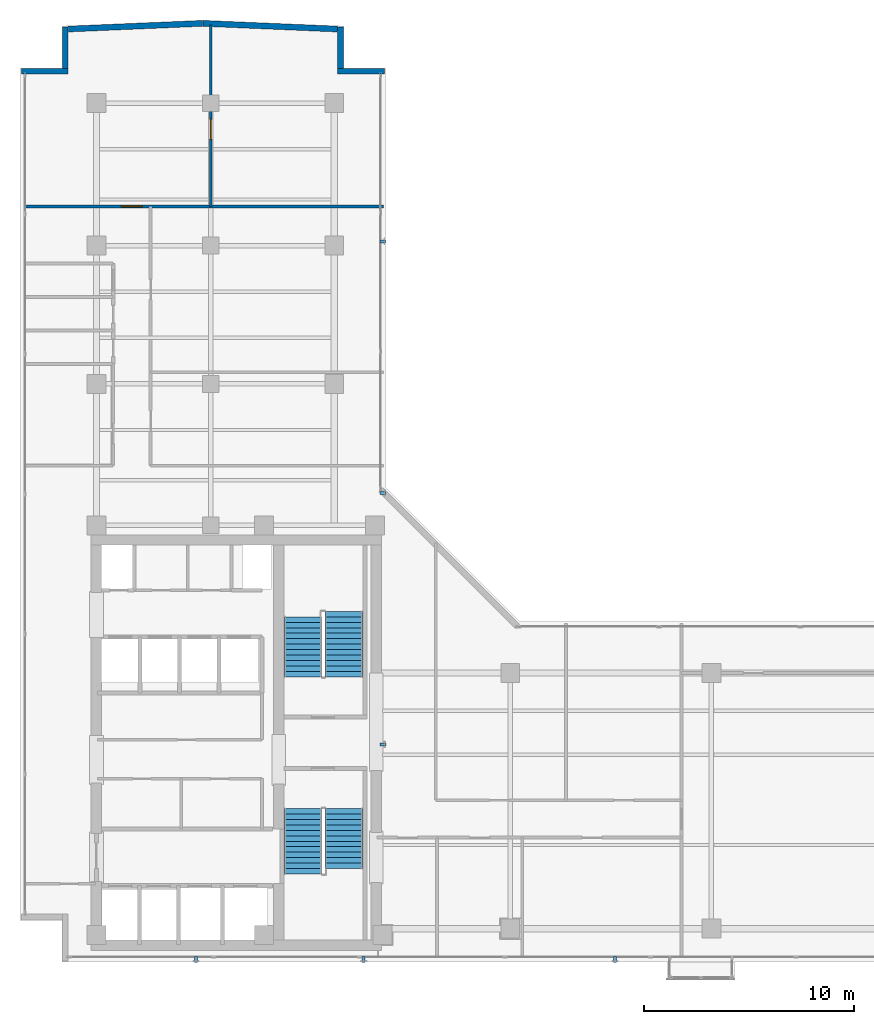
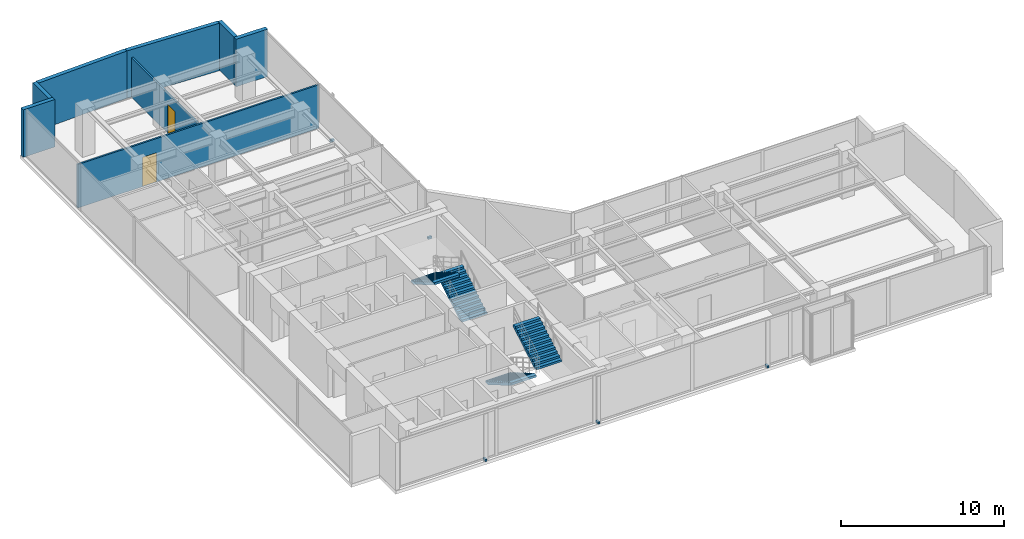
# One storey, part 19 of 24: 8 walls, 6 discrete accessories, 4 stair flights, 2 doors, 2 openings, 2 elements without a shape of their own.
"""IFC4 building model written with IfcOpenShell, lengths in metres."""

from ifc_helpers import new_model, si_unit, direction, frame, frame_2d, origin, origin_with_axes, origin_2d, place, context, subcontext, project, spatial, polyline, rectangle, outline, extrude, source, transform, mapped, material, layer, layer_set, type_object, element, fill, aggregate, save


model = new_model("IFC4")

# Units and contexts
model_context = context("Model", 3, precision=1e-05, world=origin(), true_north=direction((0.0, 1.0)))
body_context = subcontext(model_context, "Body", "Model", "MODEL_VIEW")
ifc_project = project(units=[si_unit("LENGTHUNIT", "METRE"), si_unit("AREAUNIT", "SQUARE_METRE"), si_unit("VOLUMEUNIT", "CUBIC_METRE"), si_unit("PLANEANGLEUNIT", "RADIAN"), si_unit("MASSUNIT", "GRAM", prefix="KILO")], contexts=[model_context])

# Site, building, storey
site_placement = place(None, origin())
site = spatial("IfcSite", under=ifc_project, at=site_placement, CompositionType="ELEMENT")
building_placement = place(site_placement, origin())
building = spatial("IfcBuilding", under=site, at=building_placement, Name="Kolvaren Waterfront Exchange", CompositionType="ELEMENT")
storey_placement = place(building_placement, frame((0.0, 0.0, 316.0)))
storey = spatial("IfcBuildingStorey", under=building, at=storey_placement, Name="L81", CompositionType="ELEMENT", Elevation=316.0)

# Walls
ifc_material_1 = material(Name="Precast concrete C40/50", Category="concrete")
ifc_layer_1 = layer(ifc_material_1, 0.280029296875, Name="Precast concrete C40/50")
ifc_layer_set_1 = layer_set([ifc_layer_1], Name="Precast concrete C40/50")
wall_type_1 = type_object("IfcWallType", Name="ARC-EXT-TERR-280", PredefinedType="SOLIDWALL", material=ifc_layer_set_1)
wall_1_placement = place(storey_placement, frame((18.95263671875, 46.124267578125, 0.0), z_axis=(0.0, 0.0, 1.0), x_axis=(1.0, 0.0, 0.0)))
element("IfcWall", 1, at=wall_1_placement, inside=storey, type_object=wall_type_1, Name="L81 notched corner spandrel pier NNE-A", PredefinedType="SOLIDWALL", context=body_context, shape_type="SweptSolid", body=[
    extrude(rectangle(XDim=2.239990234375, YDim=0.280029296875, at=frame_2d((1.1201171875, 0.0))), origin(), (0.0, 0.0, 1.0), 3.56005859375),
])
wall_2_placement = place(storey_placement, frame((19.092529296875, 46.26416015625, 0.0), z_axis=(0.0, 0.0, 1.0), x_axis=(0.0, 1.0, 0.0)))
element("IfcWall", 2, at=wall_2_placement, inside=storey, type_object=wall_type_1, Name="L81 notched corner spandrel pier NNE-B", PredefinedType="SOLIDWALL", context=body_context, shape_type="SweptSolid", body=[
    extrude(rectangle(XDim=1.9599609375, YDim=0.280029296875, at=frame_2d((0.97998046875, 0.0))), origin(), (0.0, 0.0, 1.0), 3.56005859375),
])
wall_3_placement = place(storey_placement, frame((3.860107421875, 46.124267578125, 0.0), z_axis=(0.0, 0.0, 1.0), x_axis=(1.0, 0.0, 0.0)))
element("IfcWall", 3, at=wall_3_placement, inside=storey, type_object=wall_type_1, Name="L81 notched corner spandrel pier NW-A", PredefinedType="SOLIDWALL", context=body_context, shape_type="SweptSolid", body=[
    extrude(rectangle(XDim=2.239990234375, YDim=0.280029296875, at=frame_2d((1.1201171875, 0.0))), origin(), (0.0, 0.0, 1.0), 3.56005859375),
])
wall_4_placement = place(storey_placement, frame((5.9599609375, 46.26416015625, 0.0), z_axis=(0.0, 0.0, 1.0), x_axis=(0.0, 1.0, 0.0)))
element("IfcWall", 4, at=wall_4_placement, inside=storey, type_object=wall_type_1, Name="L81 notched corner spandrel pier NW-B", PredefinedType="SOLIDWALL", context=body_context, shape_type="SweptSolid", body=[
    extrude(rectangle(XDim=1.9599609375, YDim=0.280029296875, at=frame_2d((0.97998046875, 0.0))), origin(), (0.0, 0.0, 1.0), 3.56005859375),
])
wall_5_placement = place(storey_placement, frame((18.946044921875, 48.136962890625, 0.0), z_axis=(0.0, 0.0, 1.0), x_axis=(-0.999108151586, 0.042224417519, 0.0)))
element("IfcWall", 5, at=wall_5_placement, inside=storey, type_object=wall_type_1, Name="L81 north prow faceted facade wall 1", PredefinedType="SOLIDWALL", context=body_context, shape_type="SweptSolid", body=[
    extrude(rectangle(XDim=6.412109375, YDim=0.280029296875, at=frame_2d((3.2060546875, 0.0))), origin(), (0.0, 0.0, 1.0), 3.56005859375),
])
wall_6_placement = place(storey_placement, frame((12.51318359375, 48.40771484375, 0.0), z_axis=(0.0, 0.0, 1.0), x_axis=(-0.999108219465, -0.042222811348, 0.0)))
element("IfcWall", 6, at=wall_6_placement, inside=storey, type_object=wall_type_1, Name="L81 north prow faceted facade wall 2", PredefinedType="SOLIDWALL", context=body_context, shape_type="SweptSolid", body=[
    extrude(rectangle(XDim=6.412353515625, YDim=0.280029296875, at=frame_2d((3.2060546875, 0.0))), origin(), (0.0, 0.0, 1.0), 3.56005859375),
])

# Wall, opening, door
ifc_material_2 = material(Name="Acoustic gypsum steel stud", Category="steel")
ifc_layer_2 = layer(ifc_material_2, 0.125, Name="Acoustic gypsum steel stud")
ifc_layer_set_2 = layer_set([ifc_layer_2], Name="Acoustic gypsum steel stud")
wall_type_2 = type_object("IfcWallType", Name="ARC-PART-125", PredefinedType="PARTITIONING", material=ifc_layer_set_2)
wall_7_placement = place(storey_placement, frame((4.0400390625, 39.669921875, 0.0), z_axis=(0.0, 0.0, 1.0), x_axis=(1.0, 0.0, 0.0)))
wall_7 = element("IfcWall", 7, at=wall_7_placement, inside=storey, type_object=wall_type_2, Name="L81 interior wall PW-L81-NTIP-S", PredefinedType="PARTITIONING", context=body_context, shape_type="SweptSolid", body=[
    extrude(rectangle(XDim=17.119873046875, YDim=0.125, at=frame_2d((8.56005859375, 0.0))), origin(), (0.0, 0.0, 1.0), 3.260009765625),
])
opening_1_placement = place(wall_7_placement, frame((4.60009765625, 0.0, 0.0)))
opening_1 = element("IfcOpeningElement", 8, at=opening_1_placement, cuts=wall_7, Name="Opening D03", PredefinedType="OPENING", context=body_context, shape_type="SweptSolid", body=[
    extrude(rectangle(XDim=1.0, YDim=2.199951171875, at=frame_2d((0.5, 1.10009765625))), frame((0.0, 0.072509765625, 0.0), z_axis=(0.0, -1.0, 0.0), x_axis=(1.0, 0.0, 0.0)), (0.0, 0.0, 1.0), 0.14501953125),
])
ifc_material_3 = material(Name="Oak veneer accessible timber", Category="wood")
door_type_1 = type_object("IfcDoorType", Name="ARC-DR-1000", OperationType="NOTDEFINED", PredefinedType="DOOR", material=ifc_material_3)
door_1_placement = place(opening_1_placement, origin())
door_1 = element("IfcDoor", 9, at=door_1_placement, inside=storey, type_object=door_type_1, Name="L81 door DR-L81-NTIPW-D (D03)", OperationType="SINGLE_SWING_LEFT", OverallHeight=2.199951171875, OverallWidth=1.0, PredefinedType="DOOR", context=body_context, shape_type="SweptSolid", body=[
    extrude(rectangle(XDim=1.0, YDim=2.199951171875, at=frame_2d((0.5, 1.10009765625))), frame((0.0, 0.02490234375, 0.0), z_axis=(0.0, -1.0, 0.0), x_axis=(1.0, 0.0, 0.0)), (0.0, 0.0, 1.0), 0.050048828125),
])
fill(opening_1, door_1)

wall_8_placement = place(storey_placement, frame((12.89990234375, 39.669921875, 0.0), z_axis=(0.0, 0.0, 1.0), x_axis=(0.0, 1.0, 0.0)))
wall_8 = element("IfcWall", 10, at=wall_8_placement, inside=storey, type_object=wall_type_2, Name="L81 interior wall PW-L81-NTIP-DIV", PredefinedType="PARTITIONING", context=body_context, shape_type="SweptSolid", body=[
    extrude(rectangle(XDim=8.658447265625, YDim=0.125, at=frame_2d((4.3291015625, 0.0))), origin(), (0.0, 0.0, 1.0), 2.9599609375),
])
opening_2_placement = place(wall_8_placement, frame((3.20947265625, 0.0, 0.0)))
opening_2 = element("IfcOpeningElement", 11, at=opening_2_placement, cuts=wall_8, Name="Opening D02", PredefinedType="OPENING", context=body_context, shape_type="SweptSolid", body=[
    extrude(rectangle(XDim=0.949951171875, YDim=2.14990234375, at=frame_2d((0.47509765625, 1.074951171875))), frame((0.0, 0.072509765625, 0.0), z_axis=(0.0, -1.0, 0.0), x_axis=(1.0, 0.0, 0.0)), (0.0, 0.0, 1.0), 0.14501953125),
])
ifc_material_4 = material(Name="Oak veneer acoustic timber", Category="wood")
door_type_2 = type_object("IfcDoorType", Name="ARC-DR-950", OperationType="NOTDEFINED", PredefinedType="DOOR", material=ifc_material_4)
door_2_placement = place(opening_2_placement, origin())
door_2 = element("IfcDoor", 12, at=door_2_placement, inside=storey, type_object=door_type_2, Name="L81 door DR-L81-NTIPE-D (D02)", OperationType="SINGLE_SWING_RIGHT", OverallHeight=2.14990234375, OverallWidth=0.949951171875, PredefinedType="DOOR", context=body_context, shape_type="SweptSolid", body=[
    extrude(rectangle(XDim=0.949951171875, YDim=2.14990234375, at=frame_2d((0.47509765625, 1.074951171875))), frame((0.0, 0.02490234375, 0.0), z_axis=(0.0, -1.0, 0.0), x_axis=(1.0, 0.0, 0.0)), (0.0, 0.0, 1.0), 0.050048828125),
])
fill(opening_2, door_2)

# Stair, stair flights
ifc_material_5 = material(Name="Concrete C40/50", Category="concrete")
stair_type = type_object("IfcStairType", Name="ARC-STAIR-3800", PredefinedType="HALF_TURN_STAIR", material=ifc_material_5)
stair_1_placement = place(storey_placement, origin())
stair_1 = element("IfcStair", 13, at=stair_1_placement, inside=storey, type_object=stair_type, Name="L81 Smoke-proof exit stair ST1", PredefinedType="HALF_TURN_STAIR")
stair_flight_type = type_object("IfcStairFlightType", Name="ARC-FLIGHT-3800", PredefinedType="STRAIGHT", material=ifc_material_5)
stair_flight_1_placement = place(storey_placement, frame((17.300048828125, 10.929931640625, 0.0), z_axis=(0.0, 0.0, 1.0), x_axis=(0.0, -1.0, 0.0)))
stair_flight_1 = element("IfcStairFlight", 14, at=stair_flight_1_placement, type_object=stair_flight_type, Name="ST1 flight 1", NumberOfRisers=13, NumberOfTreads=12, PredefinedType="STRAIGHT", RiserHeight=0.152, TreadLength=0.26, context=body_context, shape_type="SweptSolid", body=[
    extrude(outline(polyline([(0.0, 0.0), (0.0, 0.152099609375), (0.260009765625, 0.152099609375), (0.260009765625, 0.303955078125), (0.52001953125, 0.303955078125), (0.52001953125, 0.4560546875), (0.780029296875, 0.4560546875), (0.780029296875, 0.60791015625), (1.0400390625, 0.60791015625), (1.0400390625, 0.760009765625), (1.300048828125, 0.760009765625), (1.300048828125, 0.912109375), (1.56005859375, 0.912109375), (1.56005859375, 1.06396484375), (1.820068359375, 1.06396484375), (1.820068359375, 1.216064453125), (2.080078125, 1.216064453125), (2.080078125, 1.367919921875), (2.340087890625, 1.367919921875), (2.340087890625, 1.52001953125), (2.60009765625, 1.52001953125), (2.60009765625, 1.672119140625), (2.860107421875, 1.672119140625), (2.860107421875, 1.823974609375), (3.1201171875, 1.823974609375), (3.1201171875, 1.97607421875), (3.1201171875, 1.650390625), (0.297119140625, 0.0), (0.0, 0.0)])), frame((0.0, 0.89990234375, 0.0), z_axis=(0.0, -1.0, 0.0), x_axis=(1.0, 0.0, 0.0)), (0.0, 0.0, 1.0), 1.800048828125),
])
stair_flight_2_placement = place(storey_placement, frame((19.260009765625, 8.070068359375, 1.97607421875), z_axis=(0.0, 0.0, 1.0), x_axis=(0.0, 1.0, 0.0)))
stair_flight_2 = element("IfcStairFlight", 15, at=stair_flight_2_placement, type_object=stair_flight_type, Name="ST1 flight 2", NumberOfRisers=12, NumberOfTreads=11, PredefinedType="STRAIGHT", RiserHeight=0.152, TreadLength=0.26, context=body_context, shape_type="SweptSolid", body=[
    extrude(outline(polyline([(0.0, 0.0), (0.0, 0.152099609375), (0.260009765625, 0.152099609375), (0.260009765625, 0.303955078125), (0.52001953125, 0.303955078125), (0.52001953125, 0.4560546875), (0.780029296875, 0.4560546875), (0.780029296875, 0.60791015625), (1.0400390625, 0.60791015625), (1.0400390625, 0.760009765625), (1.300048828125, 0.760009765625), (1.300048828125, 0.912109375), (1.56005859375, 0.912109375), (1.56005859375, 1.06396484375), (1.820068359375, 1.06396484375), (1.820068359375, 1.216064453125), (2.080078125, 1.216064453125), (2.080078125, 1.367919921875), (2.340087890625, 1.367919921875), (2.340087890625, 1.52001953125), (2.60009765625, 1.52001953125), (2.60009765625, 1.672119140625), (2.860107421875, 1.672119140625), (2.860107421875, 1.823974609375), (2.860107421875, 1.498291015625), (0.297119140625, 0.0), (0.0, 0.0)])), frame((0.0, 0.89990234375, 0.0), z_axis=(0.0, -1.0, 0.0), x_axis=(1.0, 0.0, 0.0)), (0.0, 0.0, 1.0), 1.800048828125),
])
aggregate(stair_1, [stair_flight_1, stair_flight_2])

stair_2_placement = place(storey_placement, origin())
stair_2 = element("IfcStair", 16, at=stair_2_placement, inside=storey, type_object=stair_type, Name="L81 Smoke-proof exit stair ST2", PredefinedType="HALF_TURN_STAIR")
stair_flight_3_placement = place(storey_placement, frame((19.260009765625, 17.219970703125, 0.0), z_axis=(0.0, 0.0, 1.0), x_axis=(0.0, 1.0, 0.0)))
stair_flight_3 = element("IfcStairFlight", 17, at=stair_flight_3_placement, type_object=stair_flight_type, Name="ST2 flight 1", NumberOfRisers=13, NumberOfTreads=12, PredefinedType="STRAIGHT", RiserHeight=0.152, TreadLength=0.26, context=body_context, shape_type="SweptSolid", body=[
    extrude(outline(polyline([(0.0, 0.0), (0.0, 0.152099609375), (0.260009765625, 0.152099609375), (0.260009765625, 0.303955078125), (0.52001953125, 0.303955078125), (0.52001953125, 0.4560546875), (0.780029296875, 0.4560546875), (0.780029296875, 0.60791015625), (1.0400390625, 0.60791015625), (1.0400390625, 0.760009765625), (1.300048828125, 0.760009765625), (1.300048828125, 0.912109375), (1.56005859375, 0.912109375), (1.56005859375, 1.06396484375), (1.820068359375, 1.06396484375), (1.820068359375, 1.216064453125), (2.080078125, 1.216064453125), (2.080078125, 1.367919921875), (2.340087890625, 1.367919921875), (2.340087890625, 1.52001953125), (2.60009765625, 1.52001953125), (2.60009765625, 1.672119140625), (2.860107421875, 1.672119140625), (2.860107421875, 1.823974609375), (3.1201171875, 1.823974609375), (3.1201171875, 1.97607421875), (3.1201171875, 1.650390625), (0.297119140625, 0.0), (0.0, 0.0)])), frame((0.0, 0.89990234375, 0.0), z_axis=(0.0, -1.0, 0.0), x_axis=(1.0, 0.0, 0.0)), (0.0, 0.0, 1.0), 1.800048828125),
])
stair_flight_4_placement = place(storey_placement, frame((17.300048828125, 20.080078125, 1.97607421875), z_axis=(0.0, 0.0, 1.0), x_axis=(0.0, -1.0, 0.0)))
stair_flight_4 = element("IfcStairFlight", 18, at=stair_flight_4_placement, type_object=stair_flight_type, Name="ST2 flight 2", NumberOfRisers=12, NumberOfTreads=11, PredefinedType="STRAIGHT", RiserHeight=0.152, TreadLength=0.26, context=body_context, shape_type="SweptSolid", body=[
    extrude(outline(polyline([(0.0, 0.0), (0.0, 0.152099609375), (0.260009765625, 0.152099609375), (0.260009765625, 0.303955078125), (0.52001953125, 0.303955078125), (0.52001953125, 0.4560546875), (0.780029296875, 0.4560546875), (0.780029296875, 0.60791015625), (1.0400390625, 0.60791015625), (1.0400390625, 0.760009765625), (1.300048828125, 0.760009765625), (1.300048828125, 0.912109375), (1.56005859375, 0.912109375), (1.56005859375, 1.06396484375), (1.820068359375, 1.06396484375), (1.820068359375, 1.216064453125), (2.080078125, 1.216064453125), (2.080078125, 1.367919921875), (2.340087890625, 1.367919921875), (2.340087890625, 1.52001953125), (2.60009765625, 1.52001953125), (2.60009765625, 1.672119140625), (2.860107421875, 1.672119140625), (2.860107421875, 1.823974609375), (2.860107421875, 1.498291015625), (0.297119140625, 0.0), (0.0, 0.0)])), frame((0.0, 0.89990234375, 0.0), z_axis=(0.0, -1.0, 0.0), x_axis=(1.0, 0.0, 0.0)), (0.0, 0.0, 1.0), 1.800048828125),
])
aggregate(stair_2, [stair_flight_3, stair_flight_4])

# Discrete accessories
ifc_material_6 = material(Name="Stainless steel 316", Category="steel")
discrete_accessory_type = type_object("IfcDiscreteAccessoryType", Name="ARC-BRK-FIN", PredefinedType="BRACKET", material=ifc_material_6)
shared_shape = source(origin_with_axes(), body_context, "Body", "SweptSolid", [
    extrude(rectangle(XDim=0.280029296875, YDim=0.139892578125, at=origin_2d()), origin(), (0.0, 0.0, 1.0), 0.159912109375),
])
for number, where, z_axis, x_axis, name in (
    (19, (12.199951171875, 3.719970703125, 0.0), (0.0, 0.0, 1.0), (0.0, -1.0, 0.0), "L81 bronze fin anchor bracket FIN-L81-S1"),
    (20, (20.199951171875, 3.719970703125, 0.0), (0.0, 0.0, 1.0), (0.0, -1.0, 0.0), "L81 bronze fin anchor bracket FIN-L81-S2"),
    (21, (32.199951171875, 3.719970703125, 0.0), (0.0, 0.0, 1.0), (0.0, -1.0, 0.0), "L81 bronze fin anchor bracket FIN-L81-S3"),
    (22, (21.132568359375, 14.0, 0.0), (0.0, 0.0, 1.0), (1.0, 0.0, 0.0), "L81 bronze fin anchor bracket FIN-L81-E1"),
    (23, (21.132568359375, 26.0, 0.0), (0.0, 0.0, 1.0), (1.0, 0.0, 0.0), "L81 bronze fin anchor bracket FIN-L81-E2"),
    (24, (21.132568359375, 38.0, 0.0), (0.0, 0.0, 1.0), (1.0, 0.0, 0.0), "L81 bronze fin anchor bracket FIN-L81-E3"),
):
    element("IfcDiscreteAccessory", number, at=place(storey_placement, frame(where, z_axis=z_axis, x_axis=x_axis)), inside=storey, type_object=discrete_accessory_type, Name=name, PredefinedType="BRACKET", context=body_context, shape_type="MappedRepresentation", body=[
        mapped(shared_shape, transform((0.0, 0.0, 0.0), x_axis=(1.0, 0.0, 0.0), y_axis=(0.0, 1.0, 0.0), z_axis=(0.0, 0.0, 1.0), scale=1.0)),
    ])

save(model, "model.ifc")
